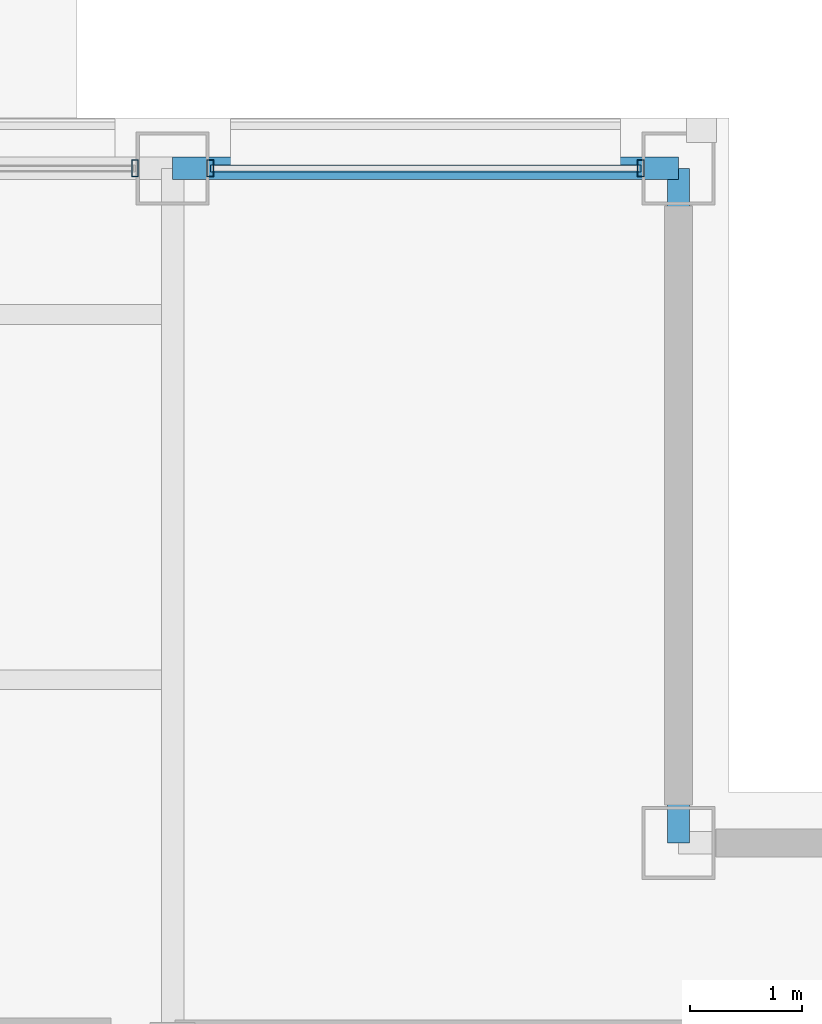
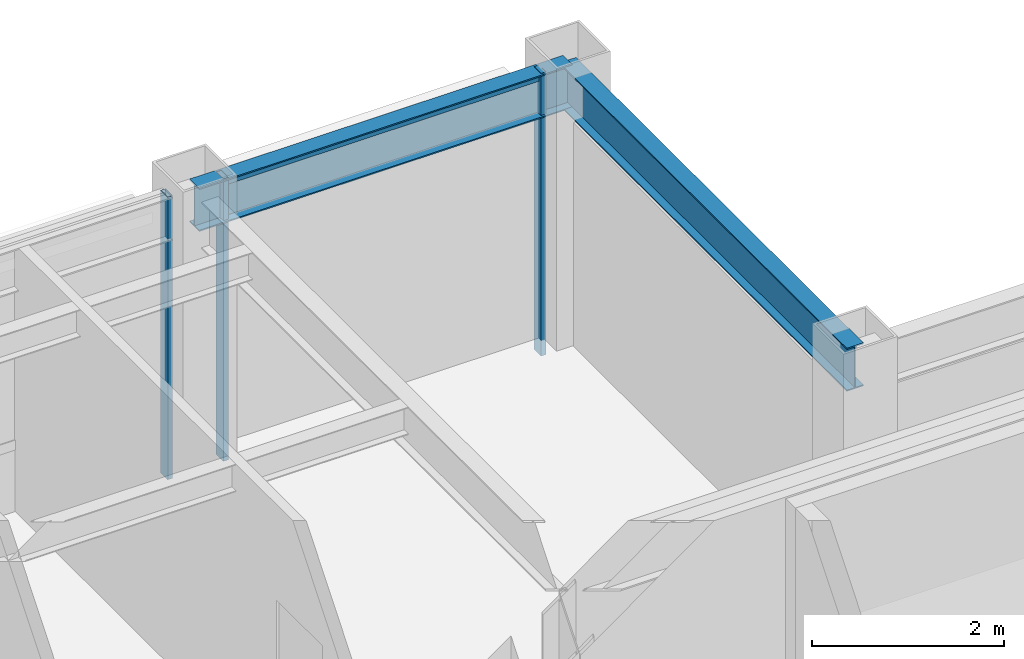
# One storey, part 15 of 20: 4 members, 2 beams, 2 elements without a shape of their own.
"""IFC4 building model written with IfcOpenShell, lengths in metres."""

from ifc_helpers import new_model, si_unit, direction, frame, origin, origin_2d, place, context, subcontext, project, spatial, hollow_rectangle, i_section, extrude, material, layer, layer_set, material_profile, profile_set, type_object, element, aggregate, save


model = new_model("IFC4")

# Units and contexts
model_context = context("Model", 3, precision=1e-05, world=origin(), true_north=direction((0.0, 1.0)))
body_context = subcontext(model_context, "Body", "Model", "MODEL_VIEW")
ifc_project = project(units=[si_unit("LENGTHUNIT", "METRE"), si_unit("AREAUNIT", "SQUARE_METRE"), si_unit("VOLUMEUNIT", "CUBIC_METRE"), si_unit("PLANEANGLEUNIT", "RADIAN"), si_unit("MASSUNIT", "GRAM", prefix="KILO")], contexts=[model_context])

# Site, building, storey
site_placement = place(None, origin())
site = spatial("IfcSite", under=ifc_project, at=site_placement, CompositionType="ELEMENT")
building_placement = place(site_placement, origin())
building = spatial("IfcBuilding", under=site, at=building_placement, Name="Brelmoor Portico Tower", CompositionType="ELEMENT")
storey_placement = place(building_placement, frame((0.0, 0.0, 243.60009765625)))
storey = spatial("IfcBuildingStorey", under=building, at=storey_placement, Name="L64", CompositionType="ELEMENT", Elevation=243.60009765625)

# Beams
ifc_material_1 = material(Name="Steel Q355B", Category="steel")
ifc_material_profile_1 = material_profile(ifc_material_1, i_section(OverallWidth=0.199951171875, OverallDepth=0.550048828125, WebThickness=0.010009765625, FlangeThickness=0.01611328125, at=origin_2d()), Name="HN 550x200x10x16")
ifc_profile_set_1 = profile_set([ifc_material_profile_1], Name="Steel Q355B")
beam_type = type_object("IfcBeamType", Name="BM-SP-550", PredefinedType="SPANDREL", material=ifc_profile_set_1)
beam_1_placement = place(storey_placement, frame((8.050048828125, 17.550048828125, 3.125), z_axis=(1.0, 0.0, 0.0), x_axis=(0.0, 1.0, 0.0)))
element("IfcBeam", 1, at=beam_1_placement, inside=storey, type_object=beam_type, Name="L64 Perimeter Spandrel Beam SP-10", PredefinedType="SPANDREL", context=body_context, shape_type="SweptSolid", body=[
    extrude(i_section(OverallWidth=0.199951171875, OverallDepth=0.550048828125, WebThickness=0.010009765625, FlangeThickness=0.01611328125, at=origin_2d()), origin(), (0.0, 0.0, 1.0), 4.5),
])
beam_2_placement = place(storey_placement, frame((12.550048828125, 11.550048828125, 3.125), z_axis=(0.0, 1.0, 0.0), x_axis=(-1.0, 0.0, 0.0)))
element("IfcBeam", 2, at=beam_2_placement, inside=storey, type_object=beam_type, Name="L64 Perimeter Spandrel Beam SP-17", PredefinedType="SPANDREL", context=body_context, shape_type="SweptSolid", body=[
    extrude(i_section(OverallWidth=0.199951171875, OverallDepth=0.550048828125, WebThickness=0.010009765625, FlangeThickness=0.01611328125, at=origin_2d()), origin(), (0.0, 0.0, 1.0), 6.0),
])

# Curtain wall, member
ifc_material_2 = material(Name="Anodised Aluminium Alloy 6063-T6", Category="aluminium")
ifc_layer_1 = layer(ifc_material_2, 0.179931640625)
ifc_layer_set_1 = layer_set([ifc_layer_1], Name="Anodised Aluminium Alloy 6063-T6")
curtain_wall_type_1 = type_object("IfcCurtainWallType", Name="CW-TOWER-Z4", PredefinedType="NOTDEFINED", material=ifc_layer_set_1)
curtain_wall_1_placement = place(storey_placement, origin())
curtain_wall_1 = element("IfcCurtainWall", 3, at=curtain_wall_1_placement, inside=storey, type_object=curtain_wall_type_1, Name="L64 Curtain Wall CW-L64-02-2", PredefinedType="NOTDEFINED")
ifc_material_profile_2 = material_profile(ifc_material_2, hollow_rectangle(XDim=0.06005859375, YDim=0.14990234375, WallThickness=0.00390625, at=origin_2d()), Name="ALU MULLION 60x150")
ifc_profile_set_2 = profile_set([ifc_material_profile_2], Name="Anodised Aluminium Alloy 6063-T6")
member_type_1 = type_object("IfcMemberType", Name="MB-CW-MULL-150", PredefinedType="MULLION", material=ifc_profile_set_2)
member_1_placement = place(storey_placement, frame((7.715087890625, 17.550048828125, -0.2001953125), z_axis=(0.0, 0.0, 1.0), x_axis=(1.0, 0.0, 0.0)))
member_1 = element("IfcMember", 4, at=member_1_placement, type_object=member_type_1, Name="CW-L64-02-2 Mullion 01", PredefinedType="MULLION", context=body_context, shape_type="SweptSolid", body=[
    extrude(hollow_rectangle(XDim=0.06005859375, YDim=0.14990234375, WallThickness=0.00390625, at=origin_2d()), origin(), (0.0, 0.0, 1.0), 3.60009765625),
])
aggregate(curtain_wall_1, [member_1])

# Curtain wall, members
ifc_layer_2 = layer(ifc_material_2, 0.179931640625)
ifc_layer_set_2 = layer_set([ifc_layer_2], Name="Anodised Aluminium Alloy 6063-T6")
curtain_wall_type_2 = type_object("IfcCurtainWallType", Name="CW-TOWER-Z4-XB", PredefinedType="NOTDEFINED", material=ifc_layer_set_2)
curtain_wall_2_placement = place(storey_placement, origin())
curtain_wall_2 = element("IfcCurtainWall", 5, at=curtain_wall_2_placement, inside=storey, type_object=curtain_wall_type_2, Name="L64 Curtain Wall CW-L64-02-3", PredefinedType="NOTDEFINED")
member_2_placement = place(storey_placement, frame((8.385009765625, 17.550048828125, -0.2001953125), z_axis=(0.0, 0.0, 1.0), x_axis=(1.0, 0.0, 0.0)))
member_2 = element("IfcMember", 6, at=member_2_placement, type_object=member_type_1, Name="CW-L64-02-3 Mullion 00", PredefinedType="MULLION", context=body_context, shape_type="SweptSolid", body=[
    extrude(hollow_rectangle(XDim=0.06005859375, YDim=0.14990234375, WallThickness=0.00390625, at=origin_2d()), origin(), (0.0, 0.0, 1.0), 3.60009765625),
])
member_3_placement = place(storey_placement, frame((12.215087890625, 17.550048828125, -0.2001953125), z_axis=(0.0, 0.0, 1.0), x_axis=(1.0, 0.0, 0.0)))
member_3 = element("IfcMember", 7, at=member_3_placement, type_object=member_type_1, Name="CW-L64-02-3 Mullion 01", PredefinedType="MULLION", context=body_context, shape_type="SweptSolid", body=[
    extrude(hollow_rectangle(XDim=0.06005859375, YDim=0.14990234375, WallThickness=0.00390625, at=origin_2d()), origin(), (0.0, 0.0, 1.0), 3.60009765625),
])
ifc_material_profile_3 = material_profile(ifc_material_2, hollow_rectangle(XDim=0.06005859375, YDim=0.125, WallThickness=0.00341796875, at=origin_2d()), Name="ALU TRANSOM 60x125")
ifc_profile_set_3 = profile_set([ifc_material_profile_3], Name="Anodised Aluminium Alloy 6063-T6")
member_type_2 = type_object("IfcMemberType", Name="MB-CW-TRAN-125", PredefinedType="USERDEFINED", material=ifc_profile_set_3)
member_4_placement = place(storey_placement, frame((8.385009765625, 17.550048828125, 3.33740234375), z_axis=(1.0, 0.0, 0.0), x_axis=(0.0, 1.0, 0.0)))
member_4 = element("IfcMember", 8, at=member_4_placement, type_object=member_type_2, Name="CW-L64-02-3 Transom 1-00", ObjectType="TRANSOM", PredefinedType="USERDEFINED", context=body_context, shape_type="SweptSolid", body=[
    extrude(hollow_rectangle(XDim=0.06005859375, YDim=0.125, WallThickness=0.00341796875, at=origin_2d()), origin(), (0.0, 0.0, 1.0), 3.830078125),
])
aggregate(curtain_wall_2, [member_2, member_3, member_4])

save(model, "model.ifc")
